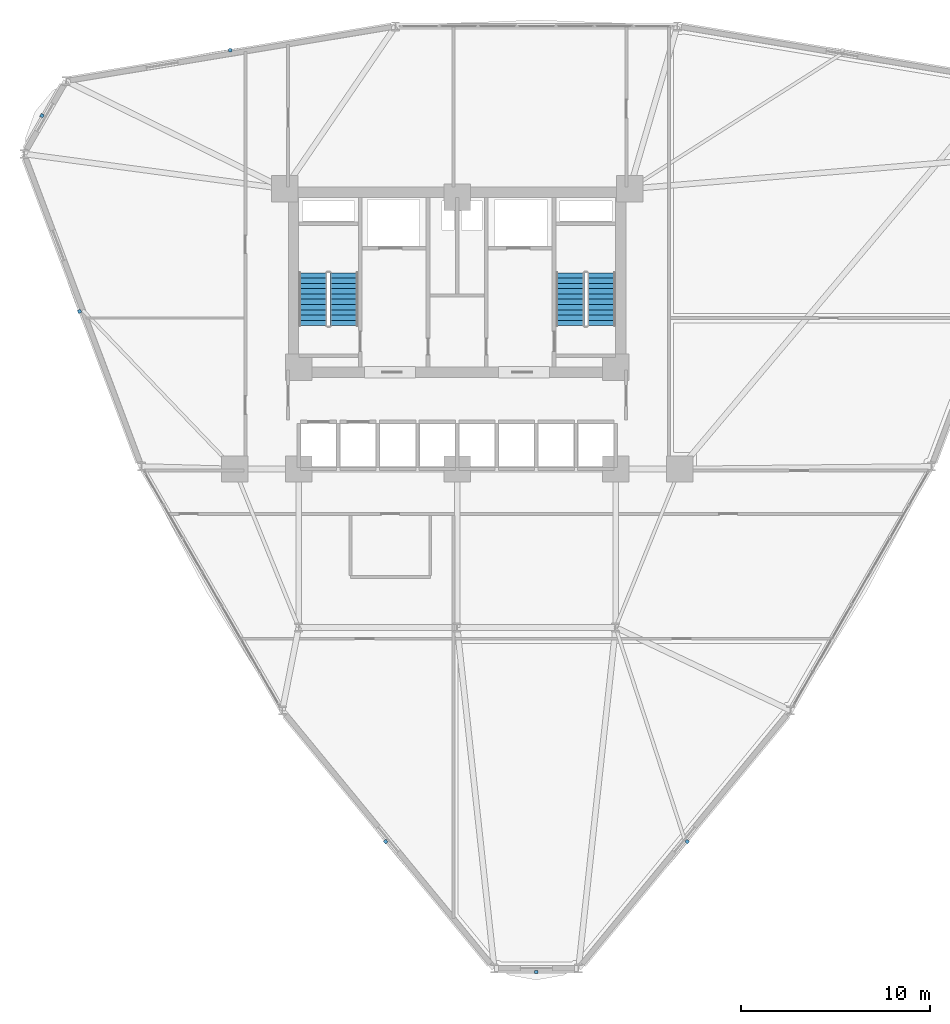
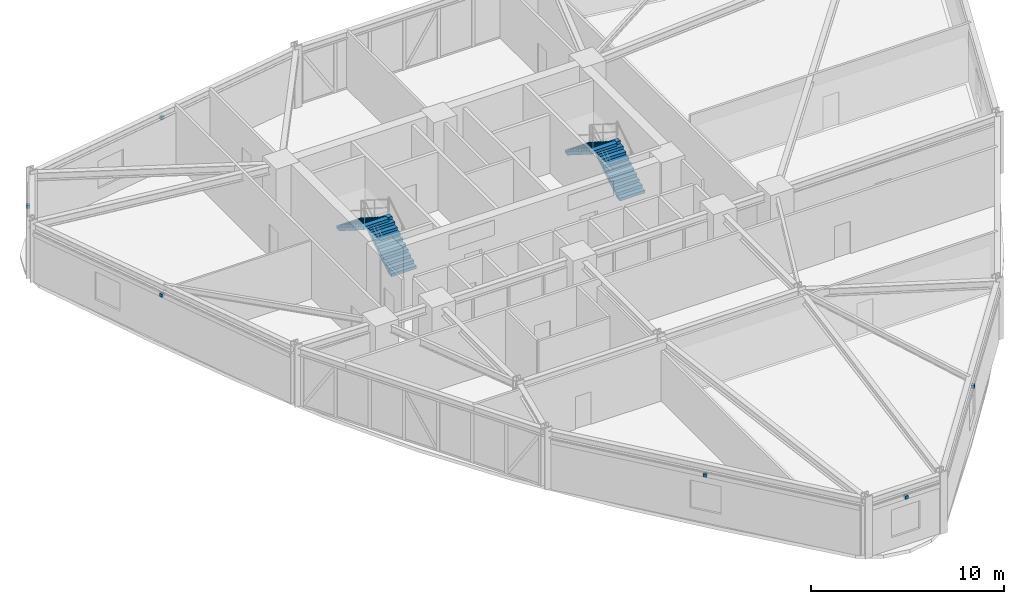
# One storey, part 16 of 20: 6 discrete accessories, 4 stair flights, 2 elements without a shape of their own.
"""IFC4 building model written with IfcOpenShell, lengths in metres."""

from ifc_helpers import new_model, si_unit, derived_unit, direction, frame, origin, origin_2d, place, context, subcontext, project, spatial, polyline, rectangle, outline, extrude, source, transform, mapped, material, type_object, element, aggregate, save


model = new_model("IFC4")

# Units and contexts
model_context = context("Model", 3, precision=1e-05, world=origin(), true_north=direction((0.0, 1.0)))
body_context = subcontext(model_context, "Body", "Model", "MODEL_VIEW")
ifc_project = project(units=[si_unit("LENGTHUNIT", "METRE"), si_unit("AREAUNIT", "SQUARE_METRE"), si_unit("VOLUMEUNIT", "CUBIC_METRE"), si_unit("PLANEANGLEUNIT", "RADIAN"), si_unit("MASSUNIT", "GRAM", prefix="KILO"), derived_unit("THERMALTRANSMITTANCEUNIT", [(si_unit("POWERUNIT", "WATT"), 1), (si_unit("LENGTHUNIT", "METRE"), -2), (si_unit("THERMODYNAMICTEMPERATUREUNIT", "KELVIN"), -1)])], contexts=[model_context])

# Site, building, storey
site_placement = place(None, origin())
site = spatial("IfcSite", under=ifc_project, at=site_placement, CompositionType="ELEMENT")
building_placement = place(site_placement, origin())
building = spatial("IfcBuilding", under=site, at=building_placement, Name="Korsvarv Bourse and Concert Hall", CompositionType="ELEMENT")
storey_placement = place(building_placement, frame((0.0, 0.0, 75.60009765625)))
storey = spatial("IfcBuildingStorey", under=building, at=storey_placement, Name="L18", CompositionType="ELEMENT", Elevation=75.60009765625)

# Stair, stair flights
ifc_material_1 = material(Name="Precast concrete C45/55", Category="concrete")
stair_type = type_object("IfcStairType", Name="STR-TYPE-03", PredefinedType="HALF_TURN_STAIR", material=ifc_material_1)
stair_1_placement = place(storey_placement, origin())
stair_1 = element("IfcStair", 1, at=stair_1_placement, inside=storey, type_object=stair_type, Name="L18 Tower West Exit Stair ST-T1", PredefinedType="HALF_TURN_STAIR")
stair_flight_type = type_object("IfcStairFlightType", Name="FLT-TYPE-03", PredefinedType="STRAIGHT", material=ifc_material_1)
stair_flight_1_placement = place(storey_placement, frame((30.010009765625, 40.0, 0.0), z_axis=(0.0, 0.0, 1.0), x_axis=(0.0, 1.0, 0.0)))
stair_flight_1 = element("IfcStairFlight", 2, at=stair_flight_1_placement, type_object=stair_flight_type, Name="ST-T1 flight 1", NumberOfRisers=11, NumberOfTreads=10, PredefinedType="STRAIGHT", RiserHeight=0.177272727, TreadLength=0.28, context=body_context, shape_type="SweptSolid", body=[
    extrude(outline(polyline([(0.0, 0.0), (0.0, 0.17724609375), (0.280029296875, 0.17724609375), (0.280029296875, 0.3544921875), (0.56005859375, 0.3544921875), (0.56005859375, 0.53173828125), (0.840087890625, 0.53173828125), (0.840087890625, 0.708984375), (1.1201171875, 0.708984375), (1.1201171875, 0.886474609375), (1.39990234375, 0.886474609375), (1.39990234375, 1.063720703125), (1.679931640625, 1.063720703125), (1.679931640625, 1.240966796875), (1.9599609375, 1.240966796875), (1.9599609375, 1.418212890625), (2.239990234375, 1.418212890625), (2.239990234375, 1.595458984375), (2.52001953125, 1.595458984375), (2.52001953125, 1.772705078125), (2.800048828125, 1.772705078125), (2.800048828125, 1.949951171875), (2.800048828125, 1.59521484375), (0.2802734375, 0.0), (0.0, 0.0)])), frame((0.0, 0.75, 0.0), z_axis=(0.0, -1.0, 0.0), x_axis=(1.0, 0.0, 0.0)), (0.0, 0.0, 1.0), 1.5),
])
stair_flight_2_placement = place(storey_placement, frame((28.35009765625, 42.800048828125, 1.949951171875), z_axis=(0.0, 0.0, 1.0), x_axis=(0.0, -1.0, 0.0)))
stair_flight_2 = element("IfcStairFlight", 3, at=stair_flight_2_placement, type_object=stair_flight_type, Name="ST-T1 flight 2", NumberOfRisers=11, NumberOfTreads=10, PredefinedType="STRAIGHT", RiserHeight=0.177272727, TreadLength=0.28, context=body_context, shape_type="SweptSolid", body=[
    extrude(outline(polyline([(0.0, 0.0), (0.0, 0.17724609375), (0.280029296875, 0.17724609375), (0.280029296875, 0.3544921875), (0.56005859375, 0.3544921875), (0.56005859375, 0.53173828125), (0.840087890625, 0.53173828125), (0.840087890625, 0.708984375), (1.1201171875, 0.708984375), (1.1201171875, 0.886474609375), (1.39990234375, 0.886474609375), (1.39990234375, 1.063720703125), (1.679931640625, 1.063720703125), (1.679931640625, 1.240966796875), (1.9599609375, 1.240966796875), (1.9599609375, 1.418212890625), (2.239990234375, 1.418212890625), (2.239990234375, 1.595458984375), (2.52001953125, 1.595458984375), (2.52001953125, 1.772705078125), (2.800048828125, 1.772705078125), (2.800048828125, 1.949951171875), (2.800048828125, 1.59521484375), (0.2802734375, 0.0), (0.0, 0.0)])), frame((0.0, 0.75, 0.0), z_axis=(0.0, -1.0, 0.0), x_axis=(1.0, 0.0, 0.0)), (0.0, 0.0, 1.0), 1.5),
])
aggregate(stair_1, [stair_flight_1, stair_flight_2])

stair_2_placement = place(storey_placement, origin())
stair_2 = element("IfcStair", 4, at=stair_2_placement, inside=storey, type_object=stair_type, Name="L18 Tower East Exit Stair ST-T2", PredefinedType="HALF_TURN_STAIR")
stair_flight_3_placement = place(storey_placement, frame((43.64990234375, 40.0, 0.0), z_axis=(0.0, 0.0, 1.0), x_axis=(0.0, 1.0, 0.0)))
stair_flight_3 = element("IfcStairFlight", 5, at=stair_flight_3_placement, type_object=stair_flight_type, Name="ST-T2 flight 1", NumberOfRisers=11, NumberOfTreads=10, PredefinedType="STRAIGHT", RiserHeight=0.177272727, TreadLength=0.28, context=body_context, shape_type="SweptSolid", body=[
    extrude(outline(polyline([(0.0, 0.0), (0.0, 0.17724609375), (0.280029296875, 0.17724609375), (0.280029296875, 0.3544921875), (0.56005859375, 0.3544921875), (0.56005859375, 0.53173828125), (0.840087890625, 0.53173828125), (0.840087890625, 0.708984375), (1.1201171875, 0.708984375), (1.1201171875, 0.886474609375), (1.39990234375, 0.886474609375), (1.39990234375, 1.063720703125), (1.679931640625, 1.063720703125), (1.679931640625, 1.240966796875), (1.9599609375, 1.240966796875), (1.9599609375, 1.418212890625), (2.239990234375, 1.418212890625), (2.239990234375, 1.595458984375), (2.52001953125, 1.595458984375), (2.52001953125, 1.772705078125), (2.800048828125, 1.772705078125), (2.800048828125, 1.949951171875), (2.800048828125, 1.59521484375), (0.2802734375, 0.0), (0.0, 0.0)])), frame((0.0, 0.75, 0.0), z_axis=(0.0, -1.0, 0.0), x_axis=(1.0, 0.0, 0.0)), (0.0, 0.0, 1.0), 1.5),
])
stair_flight_4_placement = place(storey_placement, frame((41.989990234375, 42.800048828125, 1.949951171875), z_axis=(0.0, 0.0, 1.0), x_axis=(0.0, -1.0, 0.0)))
stair_flight_4 = element("IfcStairFlight", 6, at=stair_flight_4_placement, type_object=stair_flight_type, Name="ST-T2 flight 2", NumberOfRisers=11, NumberOfTreads=10, PredefinedType="STRAIGHT", RiserHeight=0.177272727, TreadLength=0.28, context=body_context, shape_type="SweptSolid", body=[
    extrude(outline(polyline([(0.0, 0.0), (0.0, 0.17724609375), (0.280029296875, 0.17724609375), (0.280029296875, 0.3544921875), (0.56005859375, 0.3544921875), (0.56005859375, 0.53173828125), (0.840087890625, 0.53173828125), (0.840087890625, 0.708984375), (1.1201171875, 0.708984375), (1.1201171875, 0.886474609375), (1.39990234375, 0.886474609375), (1.39990234375, 1.063720703125), (1.679931640625, 1.063720703125), (1.679931640625, 1.240966796875), (1.9599609375, 1.240966796875), (1.9599609375, 1.418212890625), (2.239990234375, 1.418212890625), (2.239990234375, 1.595458984375), (2.52001953125, 1.595458984375), (2.52001953125, 1.772705078125), (2.800048828125, 1.772705078125), (2.800048828125, 1.949951171875), (2.800048828125, 1.59521484375), (0.2802734375, 0.0), (0.0, 0.0)])), frame((0.0, 0.75, 0.0), z_axis=(0.0, -1.0, 0.0), x_axis=(1.0, 0.0, 0.0)), (0.0, 0.0, 1.0), 1.5),
])
aggregate(stair_2, [stair_flight_3, stair_flight_4])

# Discrete accessories
ifc_material_2 = material(Name="Stainless Steel S355 facade outrigger bracket", Category="steel")
discrete_accessory_type = type_object("IfcDiscreteAccessoryType", Name="ACC-BRK-1", PredefinedType="BRACKET", material=ifc_material_2)
shared_shape = source(origin(), body_context, "Body", "SweptSolid", [
    extrude(rectangle(XDim=0.179931640625, YDim=0.179931640625, at=origin_2d()), origin(), (0.0, 0.0, 1.0), 0.199951171875),
])
for number, where, z_axis, x_axis, name in (
    (7, (23.97216796875, 54.597412109375, 2.9697265625), (0.0, 0.0, 1.0), (-0.986515089987, -0.163670330935, 0.0), "L18 terracotta sunshade bracket EW-L18-B04"),
    (8, (13.990478515625, 51.132080078125, 2.9697265625), (0.0, 0.0, 1.0), (-0.5, -0.866025403784, 0.0), "L18 terracotta sunshade bracket EW-L18-B05"),
    (9, (15.980224609375, 40.7548828125, 2.9697265625), (0.0, 0.0, 1.0), (0.351514880558, -0.936182294613, 0.0), "L18 terracotta sunshade bracket EW-L18-B06"),
    (10, (32.2080078125, 12.647705078125, 2.9697265625), (0.0, 0.0, 1.0), (0.635000209429, -0.772511963678, 0.0), "L18 terracotta sunshade bracket EW-L18-B08"),
    (11, (40.199951171875, 5.73583984375, 2.9697265625), (0.0, 0.0, 1.0), (1.0, 0.0, 0.0), "L18 terracotta sunshade bracket EW-L18-B09"),
    (12, (48.19189453125, 12.647705078125, 2.9697265625), (0.0, 0.0, 1.0), (0.635000209429, 0.772511963678, 0.0), "L18 terracotta sunshade bracket EW-L18-B10"),
):
    element("IfcDiscreteAccessory", number, at=place(storey_placement, frame(where, z_axis=z_axis, x_axis=x_axis)), inside=storey, type_object=discrete_accessory_type, Name=name, PredefinedType="BRACKET", context=body_context, shape_type="MappedRepresentation", body=[
        mapped(shared_shape, transform((0.0, 0.0, 0.0), scale=1.0)),
    ])

save(model, "model.ifc")
